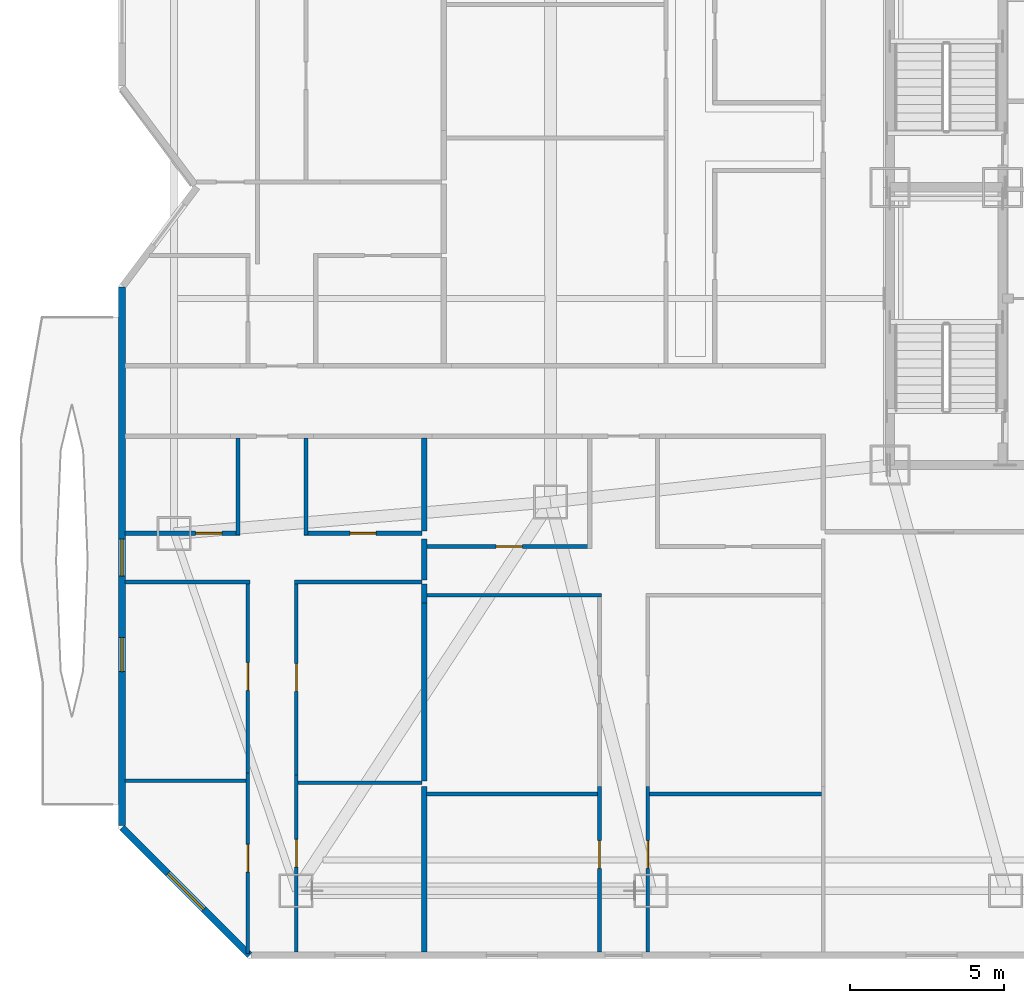
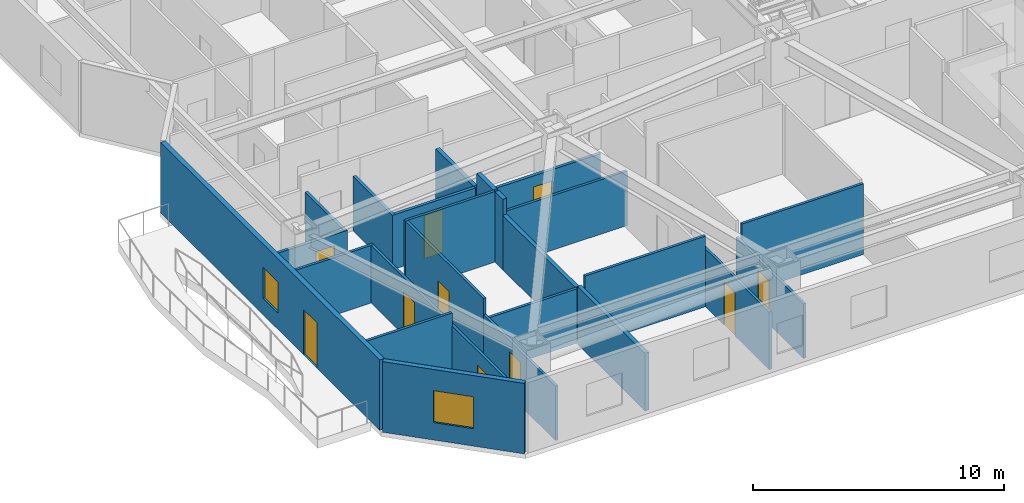
# One storey, part 7 of 17: 25 walls, 10 doors, 2 windows, 12 openings.
"""IFC4 building model written with IfcOpenShell, lengths in metres."""

from ifc_helpers import new_model, si_unit, direction, frame, frame_2d, origin, place, context, subcontext, project, spatial, rectangle, extrude, material, layer, layer_set, type_object, element, fill, save


model = new_model("IFC4")

# Units and contexts
model_context = context("Model", 3, precision=1e-05, world=origin(), true_north=direction((0.0, 1.0)))
body_context = subcontext(model_context, "Body", "Model", "MODEL_VIEW")
ifc_project = project(units=[si_unit("LENGTHUNIT", "METRE"), si_unit("AREAUNIT", "SQUARE_METRE"), si_unit("VOLUMEUNIT", "CUBIC_METRE"), si_unit("PLANEANGLEUNIT", "RADIAN"), si_unit("MASSUNIT", "GRAM", prefix="KILO")], contexts=[model_context])

# Site, building, storey
site_placement = place(None, origin())
site = spatial("IfcSite", under=ifc_project, at=site_placement, CompositionType="ELEMENT")
building_placement = place(site_placement, origin())
building = spatial("IfcBuilding", under=site, at=building_placement, Name="Khamvora Tower", CompositionType="ELEMENT")
storey_placement = place(building_placement, frame((0.0, 0.0, 44.25)))
storey = spatial("IfcBuildingStorey", under=building, at=storey_placement, Name="L10", CompositionType="ELEMENT", Elevation=44.25)

# Walls
ifc_material_1 = material(Name="Acoustic Double-Stud Fire Wall", Category="gypsum")
ifc_layer_1 = layer(ifc_material_1, 0.179931640625)
ifc_layer_set_1 = layer_set([ifc_layer_1], Name="Acoustic Double-Stud Fire Wall")
wall_type_1 = type_object("IfcWallType", Name="WAL-CORR-180", PredefinedType="STANDARD", material=ifc_layer_set_1)
wall_1_placement = place(storey_placement, frame((13.905029296875, 16.60400390625, 0.0), z_axis=(0.0, 0.0, 1.0), x_axis=(0.0, -1.0, 0.0)))
element("IfcWall", 1, at=wall_1_placement, inside=storey, type_object=wall_type_1, Name="L10 interior partition wall 058", PredefinedType="STANDARD", context=body_context, shape_type="SweptSolid", body=[
    extrude(rectangle(XDim=1.3310546875, YDim=0.179931640625, at=frame_2d((0.66552734375, 0.0))), origin(), (0.0, 0.0, 1.0), 3.429931640625),
])
wall_2_placement = place(storey_placement, frame((13.905029296875, 19.867919921875, 0.0), z_axis=(0.0, 0.0, 1.0), x_axis=(0.0, -1.0, 0.0)))
element("IfcWall", 2, at=wall_2_placement, inside=storey, type_object=wall_type_1, Name="L10 interior partition wall 059", PredefinedType="STANDARD", context=body_context, shape_type="SweptSolid", body=[
    extrude(rectangle(XDim=3.014892578125, YDim=0.179931640625, at=frame_2d((1.50732421875, 0.0))), origin(), (0.0, 0.0, 1.0), 2.64697265625),
])
wall_3_placement = place(storey_placement, frame((13.905029296875, 8.583984375, 0.0), z_axis=(0.0, 0.0, 1.0), x_axis=(0.0, -1.0, 0.0)))
element("IfcWall", 3, at=wall_3_placement, inside=storey, type_object=wall_type_1, Name="L10 interior partition wall 062", PredefinedType="STANDARD", context=body_context, shape_type="SweptSolid", body=[
    extrude(rectangle(XDim=5.3720703125, YDim=0.179931640625, at=frame_2d((2.68603515625, 0.0))), origin(), (0.0, 0.0, 1.0), 2.802978515625),
])
wall_4_placement = place(storey_placement, frame((13.905029296875, 15.14306640625, 0.0), z_axis=(0.0, 0.0, 1.0), x_axis=(0.0, -1.0, 0.0)))
element("IfcWall", 4, at=wall_4_placement, inside=storey, type_object=wall_type_1, Name="L10 interior partition wall 063", PredefinedType="STANDARD", context=body_context, shape_type="SweptSolid", body=[
    extrude(rectangle(XDim=0.6171875, YDim=0.179931640625, at=frame_2d((0.30859375, 0.0))), origin(), (0.0, 0.0, 1.0), 3.429931640625),
])
wall_5_placement = place(storey_placement, frame((13.905029296875, 14.52587890625, 0.0), z_axis=(0.0, 0.0, 1.0), x_axis=(0.0, -1.0, 0.0)))
element("IfcWall", 5, at=wall_5_placement, inside=storey, type_object=wall_type_1, Name="L10 interior partition wall 064", PredefinedType="STANDARD", context=body_context, shape_type="SweptSolid", body=[
    extrude(rectangle(XDim=5.760986328125, YDim=0.179931640625, at=frame_2d((2.88037109375, 0.0))), origin(), (0.0, 0.0, 1.0), 2.64697265625),
])

# Wall, opening, window
ifc_material_2 = material(Name="Precast concrete C40/50", Category="concrete")
ifc_layer_2 = layer(ifc_material_2, 0.219970703125)
ifc_layer_set_2 = layer_set([ifc_layer_2], Name="Precast concrete C40/50")
wall_type_2 = type_object("IfcWallType", Name="WAL-EXT-220", PredefinedType="STANDARD", material=ifc_layer_set_2)
wall_6_placement = place(storey_placement, frame((8.24609375, 3.110107421875, 0.0), z_axis=(0.0, 0.0, 1.0), x_axis=(-0.707106781187, 0.707106781187, 0.0)))
wall_6 = element("IfcWall", 6, at=wall_6_placement, inside=storey, type_object=wall_type_2, Name="L10 exterior facade wall 01.1", PredefinedType="STANDARD", context=body_context, shape_type="SweptSolid", body=[
    extrude(rectangle(XDim=5.84912109375, YDim=0.219970703125, at=frame_2d((2.924560546875, 0.0))), origin(), (0.0, 0.0, 1.0), 3.429931640625),
])
opening_1_placement = place(wall_6_placement, frame((2.10009765625, 0.0, 0.85009765625)))
opening_1 = element("IfcOpeningElement", 7, at=opening_1_placement, cuts=wall_6, Name="Opening WN-06", PredefinedType="OPENING", context=body_context, shape_type="SweptSolid", body=[
    extrude(rectangle(XDim=1.64990234375, YDim=1.550048828125, at=frame_2d((0.824951171875, 0.77490234375))), frame((0.0, 0.119873046875, 0.0), z_axis=(0.0, -1.0, 0.0), x_axis=(1.0, 0.0, 0.0)), (0.0, 0.0, 1.0), 0.239990234375),
])
ifc_material_3 = material(Name="Low-E Laminated Double Glazing", Category="glass")
window_type_1 = type_object("IfcWindowType", Name="WIN-VIS-1650x1550", PartitioningType="SINGLE_PANEL", PredefinedType="WINDOW", material=ifc_material_3)
window_1_placement = place(opening_1_placement, origin())
window_1 = element("IfcWindow", 8, at=window_1_placement, inside=storey, type_object=window_type_1, Name="L10 vision window 01.1.01", OverallHeight=1.550048828125, OverallWidth=1.64990234375, PartitioningType="SINGLE_PANEL", PredefinedType="WINDOW", context=body_context, shape_type="SweptSolid", body=[
    extrude(rectangle(XDim=1.64990234375, YDim=1.550048828125, at=frame_2d((0.824951171875, 0.77490234375))), frame((0.0, 0.030029296875, 0.0), z_axis=(0.0, -1.0, 0.0), x_axis=(1.0, 0.0, 0.0)), (0.0, 0.0, 1.0), 0.06005859375),
])
fill(opening_1, window_1)

# Wall, openings, door, window
wall_7_placement = place(storey_placement, frame((4.110107421875, 7.31689453125, 0.0), z_axis=(0.0, 0.0, 1.0), x_axis=(0.0, 1.0, 0.0)))
wall_7 = element("IfcWall", 9, at=wall_7_placement, inside=storey, type_object=wall_type_2, Name="L10 exterior facade wall 02.1", PredefinedType="STANDARD", context=body_context, shape_type="SweptSolid", body=[
    extrude(rectangle(XDim=17.446044921875, YDim=0.219970703125, at=frame_2d((8.72314453125, 0.0))), origin(), (0.0, 0.0, 1.0), 3.429931640625),
])
opening_2_placement = place(wall_7_placement, frame((4.989013671875, 0.0, 0.0)))
opening_2 = element("IfcOpeningElement", 10, at=opening_2_placement, cuts=wall_7, Name="Opening BD-01", PredefinedType="OPENING", context=body_context, shape_type="SweptSolid", body=[
    extrude(rectangle(XDim=1.10009765625, YDim=2.199951171875, at=frame_2d((0.550048828125, 1.10009765625))), frame((0.0, 0.119873046875, 0.0), z_axis=(0.0, -1.0, 0.0), x_axis=(1.0, 0.0, 0.0)), (0.0, 0.0, 1.0), 0.239990234375),
])
opening_3_placement = place(wall_7_placement, frame((8.0810546875, 0.0, 0.800048828125)))
opening_3 = element("IfcOpeningElement", 11, at=opening_3_placement, cuts=wall_7, Name="Opening WN-03", PredefinedType="OPENING", context=body_context, shape_type="SweptSolid", body=[
    extrude(rectangle(XDim=1.199951171875, YDim=1.5, at=frame_2d((0.60009765625, 0.75))), frame((0.0, 0.119873046875, 0.0), z_axis=(0.0, -1.0, 0.0), x_axis=(1.0, 0.0, 0.0)), (0.0, 0.0, 1.0), 0.239990234375),
])
ifc_material_4 = material(Name="Anodised Aluminium and Laminated Safety Glass", Category="aluminium")
door_type_1 = type_object("IfcDoorType", Name="DOR-BAL-1100", OperationType="NOTDEFINED", PredefinedType="DOOR", material=ifc_material_4)
door_1_placement = place(opening_2_placement, origin())
door_1 = element("IfcDoor", 12, at=door_1_placement, inside=storey, type_object=door_type_1, Name="L10 lens gallery balcony door WL1", OperationType="SLIDING_TO_LEFT", OverallHeight=2.199951171875, OverallWidth=1.10009765625, PredefinedType="DOOR", context=body_context, shape_type="SweptSolid", body=[
    extrude(rectangle(XDim=1.10009765625, YDim=2.199951171875, at=frame_2d((0.550048828125, 1.10009765625))), frame((0.0, 0.02490234375, 0.0), z_axis=(0.0, -1.0, 0.0), x_axis=(1.0, 0.0, 0.0)), (0.0, 0.0, 1.0), 0.050048828125),
])
fill(opening_2, door_1)
window_type_2 = type_object("IfcWindowType", Name="WIN-VIS-1200x1500", PartitioningType="SINGLE_PANEL", PredefinedType="WINDOW", material=ifc_material_3)
window_2_placement = place(opening_3_placement, origin())
window_2 = element("IfcWindow", 13, at=window_2_placement, inside=storey, type_object=window_type_2, Name="L10 vision window 02.1.01", OverallHeight=1.5, OverallWidth=1.199951171875, PartitioningType="SINGLE_PANEL", PredefinedType="WINDOW", context=body_context, shape_type="SweptSolid", body=[
    extrude(rectangle(XDim=1.199951171875, YDim=1.5, at=frame_2d((0.60009765625, 0.75))), frame((0.0, 0.030029296875, 0.0), z_axis=(0.0, -1.0, 0.0), x_axis=(1.0, 0.0, 0.0)), (0.0, 0.0, 1.0), 0.06005859375),
])
fill(opening_3, window_2)

# Wall, opening, door
ifc_material_5 = material(Name="Gypsum Plasterboard Partition", Category="gypsum")
ifc_layer_3 = layer(ifc_material_5, 0.1201171875)
ifc_layer_set_3 = layer_set([ifc_layer_3], Name="Gypsum Plasterboard Partition")
wall_type_3 = type_object("IfcWallType", Name="WAL-PART-120", PredefinedType="PARTITIONING", material=ifc_layer_set_3)
wall_8_placement = place(storey_placement, frame((8.18994140625, 3.172119140625, 0.0), z_axis=(0.0, 0.0, 1.0), x_axis=(0.0, 1.0, 0.0)))
wall_8 = element("IfcWall", 14, at=wall_8_placement, inside=storey, type_object=wall_type_3, Name="L10 interior partition wall 052", PredefinedType="PARTITIONING", context=body_context, shape_type="SweptSolid", body=[
    extrude(rectangle(XDim=5.8408203125, YDim=0.1201171875, at=frame_2d((2.92041015625, 0.0))), origin(), (0.0, 0.0, 1.0), 2.802978515625),
])
opening_4_placement = place(wall_8_placement, frame((2.633056640625, 0.0, 0.0)))
opening_4 = element("IfcOpeningElement", 15, at=opening_4_placement, cuts=wall_8, Name="Opening D-RM1", PredefinedType="OPENING", context=body_context, shape_type="SweptSolid", body=[
    extrude(rectangle(XDim=0.89990234375, YDim=2.10009765625, at=frame_2d((0.449951171875, 1.050048828125))), frame((0.0, 0.070068359375, 0.0), z_axis=(0.0, -1.0, 0.0), x_axis=(1.0, 0.0, 0.0)), (0.0, 0.0, 1.0), 0.14013671875),
])
ifc_material_6 = material(Name="Powder-Coated Steel and Hardwood Leaf", Category="steel")
door_type_2 = type_object("IfcDoorType", Name="DOR-ROOM-900", OperationType="NOTDEFINED", PredefinedType="DOOR", material=ifc_material_6)
door_2_placement = place(opening_4_placement, origin())
door_2 = element("IfcDoor", 16, at=door_2_placement, inside=storey, type_object=door_type_2, Name="L10 interior door 10WAH-10WAL", OperationType="SINGLE_SWING_RIGHT", OverallHeight=2.10009765625, OverallWidth=0.89990234375, PredefinedType="DOOR", context=body_context, shape_type="SweptSolid", body=[
    extrude(rectangle(XDim=0.89990234375, YDim=2.10009765625, at=frame_2d((0.449951171875, 1.050048828125))), frame((0.0, 0.02490234375, 0.0), z_axis=(0.0, -1.0, 0.0), x_axis=(1.0, 0.0, 0.0)), (0.0, 0.0, 1.0), 0.050048828125),
])
fill(opening_4, door_2)

wall_9_placement = place(storey_placement, frame((8.18994140625, 9.012939453125, 0.0), z_axis=(0.0, 0.0, 1.0), x_axis=(0.0, 1.0, 0.0)))
wall_9 = element("IfcWall", 17, at=wall_9_placement, inside=storey, type_object=wall_type_3, Name="L10 interior partition wall 053", PredefinedType="PARTITIONING", context=body_context, shape_type="SweptSolid", body=[
    extrude(rectangle(XDim=6.260009765625, YDim=0.1201171875, at=frame_2d((3.1298828125, 0.0))), origin(), (0.0, 0.0, 1.0), 2.802978515625),
])
opening_5_placement = place(wall_9_placement, frame((2.679931640625, 0.0, 0.0)))
opening_5 = element("IfcOpeningElement", 18, at=opening_5_placement, cuts=wall_9, Name="Opening D-RM1", PredefinedType="OPENING", context=body_context, shape_type="SweptSolid", body=[
    extrude(rectangle(XDim=0.89990234375, YDim=2.10009765625, at=frame_2d((0.449951171875, 1.050048828125))), frame((0.0, 0.070068359375, 0.0), z_axis=(0.0, -1.0, 0.0), x_axis=(1.0, 0.0, 0.0)), (0.0, 0.0, 1.0), 0.14013671875),
])
door_3_placement = place(opening_5_placement, origin())
door_3 = element("IfcDoor", 19, at=door_3_placement, inside=storey, type_object=door_type_2, Name="L10 interior door 10WAH-10WAR2", OperationType="SINGLE_SWING_LEFT", OverallHeight=2.10009765625, OverallWidth=0.89990234375, PredefinedType="DOOR", context=body_context, shape_type="SweptSolid", body=[
    extrude(rectangle(XDim=0.89990234375, YDim=2.10009765625, at=frame_2d((0.449951171875, 1.050048828125))), frame((0.0, 0.02490234375, 0.0), z_axis=(0.0, -1.0, 0.0), x_axis=(1.0, 0.0, 0.0)), (0.0, 0.0, 1.0), 0.050048828125),
])
fill(opening_5, door_3)

# Wall
wall_10_placement = place(storey_placement, frame((8.2548828125, 15.2080078125, 0.0), z_axis=(0.0, 0.0, 1.0), x_axis=(-1.0, 0.0, 0.0)))
element("IfcWall", 20, at=wall_10_placement, inside=storey, type_object=wall_type_3, Name="L10 interior partition wall 054", PredefinedType="PARTITIONING", context=body_context, shape_type="SweptSolid", body=[
    extrude(rectangle(XDim=4.04296875, YDim=0.1201171875, at=frame_2d((2.021484375, 0.0))), origin(), (0.0, 0.0, 1.0), 2.802978515625),
])

# Wall, opening, door
wall_11_placement = place(storey_placement, frame((9.760009765625, 8.948974609375, 0.0), z_axis=(0.0, 0.0, 1.0), x_axis=(0.0, -1.0, 0.0)))
wall_11 = element("IfcWall", 21, at=wall_11_placement, inside=storey, type_object=wall_type_3, Name="L10 interior partition wall 055", PredefinedType="PARTITIONING", context=body_context, shape_type="SweptSolid", body=[
    extrude(rectangle(XDim=5.737060546875, YDim=0.1201171875, at=frame_2d((2.86865234375, 0.0))), origin(), (0.0, 0.0, 1.0), 2.64697265625),
])
opening_6_placement = place(wall_11_placement, frame((2.0810546875, 0.0, 0.0)))
opening_6 = element("IfcOpeningElement", 22, at=opening_6_placement, cuts=wall_11, Name="Opening D-RM1", PredefinedType="OPENING", context=body_context, shape_type="SweptSolid", body=[
    extrude(rectangle(XDim=0.89990234375, YDim=2.10009765625, at=frame_2d((0.449951171875, 1.050048828125))), frame((0.0, 0.070068359375, 0.0), z_axis=(0.0, -1.0, 0.0), x_axis=(1.0, 0.0, 0.0)), (0.0, 0.0, 1.0), 0.14013671875),
])
door_4_placement = place(opening_6_placement, origin())
door_4 = element("IfcDoor", 23, at=door_4_placement, inside=storey, type_object=door_type_2, Name="L10 interior door 10WAH-10WAR3", OperationType="SINGLE_SWING_LEFT", OverallHeight=2.10009765625, OverallWidth=0.89990234375, PredefinedType="DOOR", context=body_context, shape_type="SweptSolid", body=[
    extrude(rectangle(XDim=0.89990234375, YDim=2.10009765625, at=frame_2d((0.449951171875, 1.050048828125))), frame((0.0, 0.02490234375, 0.0), z_axis=(0.0, -1.0, 0.0), x_axis=(1.0, 0.0, 0.0)), (0.0, 0.0, 1.0), 0.050048828125),
])
fill(opening_6, door_4)

wall_12_placement = place(storey_placement, frame((9.760009765625, 15.27294921875, 0.0), z_axis=(0.0, 0.0, 1.0), x_axis=(0.0, -1.0, 0.0)))
wall_12 = element("IfcWall", 24, at=wall_12_placement, inside=storey, type_object=wall_type_3, Name="L10 interior partition wall 056", PredefinedType="PARTITIONING", context=body_context, shape_type="SweptSolid", body=[
    extrude(rectangle(XDim=6.323974609375, YDim=0.1201171875, at=frame_2d((3.162109375, 0.0))), origin(), (0.0, 0.0, 1.0), 3.429931640625),
])
opening_7_placement = place(wall_12_placement, frame((2.7119140625, 0.0, 0.0)))
opening_7 = element("IfcOpeningElement", 25, at=opening_7_placement, cuts=wall_12, Name="Opening D-RM1", PredefinedType="OPENING", context=body_context, shape_type="SweptSolid", body=[
    extrude(rectangle(XDim=0.89990234375, YDim=2.10009765625, at=frame_2d((0.449951171875, 1.050048828125))), frame((0.0, 0.070068359375, 0.0), z_axis=(0.0, -1.0, 0.0), x_axis=(1.0, 0.0, 0.0)), (0.0, 0.0, 1.0), 0.14013671875),
])
door_5_placement = place(opening_7_placement, origin())
door_5 = element("IfcDoor", 26, at=door_5_placement, inside=storey, type_object=door_type_2, Name="L10 interior door 10WAH-10WAR4", OperationType="SINGLE_SWING_RIGHT", OverallHeight=2.10009765625, OverallWidth=0.89990234375, PredefinedType="DOOR", context=body_context, shape_type="SweptSolid", body=[
    extrude(rectangle(XDim=0.89990234375, YDim=2.10009765625, at=frame_2d((0.449951171875, 1.050048828125))), frame((0.0, 0.02490234375, 0.0), z_axis=(0.0, -1.0, 0.0), x_axis=(1.0, 0.0, 0.0)), (0.0, 0.0, 1.0), 0.050048828125),
])
fill(opening_7, door_5)

# Walls
wall_13_placement = place(storey_placement, frame((13.840087890625, 15.2080078125, 0.0), z_axis=(0.0, 0.0, 1.0), x_axis=(-1.0, 0.0, 0.0)))
element("IfcWall", 27, at=wall_13_placement, inside=storey, type_object=wall_type_3, Name="L10 interior partition wall 057", PredefinedType="PARTITIONING", context=body_context, shape_type="SweptSolid", body=[
    extrude(rectangle(XDim=4.14501953125, YDim=0.1201171875, at=frame_2d((2.072509765625, 0.0))), origin(), (0.0, 0.0, 1.0), 3.429931640625),
])
wall_14_placement = place(storey_placement, frame((4.2119140625, 8.763916015625, 0.0), z_axis=(0.0, 0.0, 1.0), x_axis=(1.0, 0.0, 0.0)))
element("IfcWall", 28, at=wall_14_placement, inside=storey, type_object=wall_type_3, Name="L10 interior partition wall 060", PredefinedType="PARTITIONING", context=body_context, shape_type="SweptSolid", body=[
    extrude(rectangle(XDim=3.924072265625, YDim=0.1201171875, at=frame_2d((1.9619140625, 0.0))), origin(), (0.0, 0.0, 1.0), 3.429931640625),
])
wall_15_placement = place(storey_placement, frame((9.81396484375, 8.699951171875, 0.0), z_axis=(0.0, 0.0, 1.0), x_axis=(1.0, 0.0, 0.0)))
element("IfcWall", 29, at=wall_15_placement, inside=storey, type_object=wall_type_3, Name="L10 interior partition wall 061", PredefinedType="PARTITIONING", context=body_context, shape_type="SweptSolid", body=[
    extrude(rectangle(XDim=4.026123046875, YDim=0.1201171875, at=frame_2d((2.01318359375, 0.0))), origin(), (0.0, 0.0, 1.0), 2.64697265625),
])

# Wall, opening, door
wall_16_placement = place(storey_placement, frame((19.5849609375, 3.2119140625, 0.0), z_axis=(0.0, 0.0, 1.0), x_axis=(0.0, 1.0, 0.0)))
wall_16 = element("IfcWall", 30, at=wall_16_placement, inside=storey, type_object=wall_type_3, Name="L10 interior partition wall 069", PredefinedType="PARTITIONING", context=body_context, shape_type="SweptSolid", body=[
    extrude(rectangle(XDim=5.3720703125, YDim=0.1201171875, at=frame_2d((2.68603515625, 0.0))), origin(), (0.0, 0.0, 1.0), 2.802978515625),
])
opening_8_placement = place(wall_16_placement, frame((2.7109375, 0.0, 0.0)))
opening_8 = element("IfcOpeningElement", 31, at=opening_8_placement, cuts=wall_16, Name="Opening D-RM1", PredefinedType="OPENING", context=body_context, shape_type="SweptSolid", body=[
    extrude(rectangle(XDim=0.89990234375, YDim=2.10009765625, at=frame_2d((0.449951171875, 1.050048828125))), frame((0.0, 0.070068359375, 0.0), z_axis=(0.0, -1.0, 0.0), x_axis=(1.0, 0.0, 0.0)), (0.0, 0.0, 1.0), 0.14013671875),
])
door_6_placement = place(opening_8_placement, origin())
door_6 = element("IfcDoor", 32, at=door_6_placement, inside=storey, type_object=door_type_2, Name="L10 interior door 10WBH-10WBL", OperationType="SINGLE_SWING_LEFT", OverallHeight=2.10009765625, OverallWidth=0.89990234375, PredefinedType="DOOR", context=body_context, shape_type="SweptSolid", body=[
    extrude(rectangle(XDim=0.89990234375, YDim=2.10009765625, at=frame_2d((0.449951171875, 1.050048828125))), frame((0.0, 0.02490234375, 0.0), z_axis=(0.0, -1.0, 0.0), x_axis=(1.0, 0.0, 0.0)), (0.0, 0.0, 1.0), 0.050048828125),
])
fill(opening_8, door_6)

# Wall
wall_17_placement = place(storey_placement, frame((19.64990234375, 14.77490234375, 0.0), z_axis=(0.0, 0.0, 1.0), x_axis=(-1.0, 0.0, 0.0)))
element("IfcWall", 33, at=wall_17_placement, inside=storey, type_object=wall_type_3, Name="L10 interior partition wall 071", PredefinedType="PARTITIONING", context=body_context, shape_type="SweptSolid", body=[
    extrude(rectangle(XDim=5.662841796875, YDim=0.1201171875, at=frame_2d((2.83154296875, 0.0))), origin(), (0.0, 0.0, 1.0), 2.64697265625),
])

# Wall, opening, door
wall_18_placement = place(storey_placement, frame((21.155029296875, 8.583984375, 0.0), z_axis=(0.0, 0.0, 1.0), x_axis=(0.0, -1.0, 0.0)))
wall_18 = element("IfcWall", 34, at=wall_18_placement, inside=storey, type_object=wall_type_3, Name="L10 interior partition wall 072", PredefinedType="PARTITIONING", context=body_context, shape_type="SweptSolid", body=[
    extrude(rectangle(XDim=5.3720703125, YDim=0.1201171875, at=frame_2d((2.68603515625, 0.0))), origin(), (0.0, 0.0, 1.0), 2.64697265625),
])
opening_9_placement = place(wall_18_placement, frame((1.760986328125, 0.0, 0.0)))
opening_9 = element("IfcOpeningElement", 35, at=opening_9_placement, cuts=wall_18, Name="Opening D-RM1", PredefinedType="OPENING", context=body_context, shape_type="SweptSolid", body=[
    extrude(rectangle(XDim=0.89990234375, YDim=2.10009765625, at=frame_2d((0.449951171875, 1.050048828125))), frame((0.0, 0.070068359375, 0.0), z_axis=(0.0, -1.0, 0.0), x_axis=(1.0, 0.0, 0.0)), (0.0, 0.0, 1.0), 0.14013671875),
])
door_7_placement = place(opening_9_placement, origin())
door_7 = element("IfcDoor", 36, at=door_7_placement, inside=storey, type_object=door_type_2, Name="L10 interior door 10WBH-10WBR3", OperationType="SINGLE_SWING_LEFT", OverallHeight=2.10009765625, OverallWidth=0.89990234375, PredefinedType="DOOR", context=body_context, shape_type="SweptSolid", body=[
    extrude(rectangle(XDim=0.89990234375, YDim=2.10009765625, at=frame_2d((0.449951171875, 1.050048828125))), frame((0.0, 0.02490234375, 0.0), z_axis=(0.0, -1.0, 0.0), x_axis=(1.0, 0.0, 0.0)), (0.0, 0.0, 1.0), 0.050048828125),
])
fill(opening_9, door_7)

# Walls
wall_19_placement = place(storey_placement, frame((13.987060546875, 8.3349609375, 0.0), z_axis=(0.0, 0.0, 1.0), x_axis=(1.0, 0.0, 0.0)))
element("IfcWall", 37, at=wall_19_placement, inside=storey, type_object=wall_type_3, Name="L10 interior partition wall 075", PredefinedType="PARTITIONING", context=body_context, shape_type="SweptSolid", body=[
    extrude(rectangle(XDim=5.5439453125, YDim=0.1201171875, at=frame_2d((2.77197265625, 0.0))), origin(), (0.0, 0.0, 1.0), 3.429931640625),
])
wall_20_placement = place(storey_placement, frame((21.208984375, 8.3349609375, 0.0), z_axis=(0.0, 0.0, 1.0), x_axis=(1.0, 0.0, 0.0)))
element("IfcWall", 38, at=wall_20_placement, inside=storey, type_object=wall_type_3, Name="L10 interior partition wall 076", PredefinedType="PARTITIONING", context=body_context, shape_type="SweptSolid", body=[
    extrude(rectangle(XDim=5.572021484375, YDim=0.1201171875, at=frame_2d((2.7861328125, 0.0))), origin(), (0.0, 0.0, 1.0), 3.429931640625),
])

# Wall, opening, door
ifc_material_7 = material(Name="Moisture-Resistant Plasterboard Partition", Category="gypsum")
ifc_layer_4 = layer(ifc_material_7, 0.135009765625)
ifc_layer_set_4 = layer_set([ifc_layer_4], Name="Moisture-Resistant Plasterboard Partition")
wall_type_4 = type_object("IfcWallType", Name="WAL-WET-135", PredefinedType="PARTITIONING", material=ifc_layer_set_4)
wall_21_placement = place(storey_placement, frame((4.2119140625, 16.7880859375, 0.0), z_axis=(0.0, 0.0, 1.0), x_axis=(1.0, 0.0, 0.0)))
wall_21 = element("IfcWall", 39, at=wall_21_placement, inside=storey, type_object=wall_type_4, Name="L10 interior partition wall 048", PredefinedType="PARTITIONING", context=body_context, shape_type="SweptSolid", body=[
    extrude(rectangle(XDim=3.72802734375, YDim=0.135009765625, at=frame_2d((1.864013671875, 0.0))), origin(), (0.0, 0.0, 1.0), 2.64697265625),
])
opening_10_placement = place(wall_21_placement, frame((2.284912109375, 0.0, 0.0)))
opening_10 = element("IfcOpeningElement", 40, at=opening_10_placement, cuts=wall_21, Name="Opening D-WC1", PredefinedType="OPENING", context=body_context, shape_type="SweptSolid", body=[
    extrude(rectangle(XDim=0.85009765625, YDim=2.10009765625, at=frame_2d((0.425048828125, 1.050048828125))), frame((0.0, 0.077392578125, 0.0), z_axis=(0.0, -1.0, 0.0), x_axis=(1.0, 0.0, 0.0)), (0.0, 0.0, 1.0), 0.155029296875),
])
door_type_3 = type_object("IfcDoorType", Name="DOR-WET-850", OperationType="NOTDEFINED", PredefinedType="DOOR", material=ifc_material_6)
door_8_placement = place(opening_10_placement, origin())
door_8 = element("IfcDoor", 41, at=door_8_placement, inside=storey, type_object=door_type_3, Name="L10 interior door 10WAH-10WAB", OperationType="SINGLE_SWING_RIGHT", OverallHeight=2.10009765625, OverallWidth=0.85009765625, PredefinedType="DOOR", context=body_context, shape_type="SweptSolid", body=[
    extrude(rectangle(XDim=0.85009765625, YDim=2.10009765625, at=frame_2d((0.425048828125, 1.050048828125))), frame((0.0, 0.02490234375, 0.0), z_axis=(0.0, -1.0, 0.0), x_axis=(1.0, 0.0, 0.0)), (0.0, 0.0, 1.0), 0.050048828125),
])
fill(opening_10, door_8)

# Walls
for number, where, z_axis, x_axis, name in (
    (42, (7.875, 16.722900390625, 0.0), (0.0, 0.0, 1.0), (0.0, 1.0, 0.0), "L10 interior partition wall 049"),
    (43, (10.074951171875, 19.867919921875, 0.0), (0.0, 0.0, 1.0), (0.0, -1.0, 0.0), "L10 interior partition wall 050"),
):
    element("IfcWall", number, at=place(storey_placement, frame(where, z_axis=z_axis, x_axis=x_axis)), inside=storey, type_object=wall_type_4, Name=name, PredefinedType="PARTITIONING", context=body_context, shape_type="SweptSolid", body=[
        extrude(rectangle(XDim=3.14501953125, YDim=0.135009765625, at=frame_2d((1.572509765625, 0.0))), origin(), (0.0, 0.0, 1.0), 2.64697265625),
    ])

# Wall, opening, door
wall_22_placement = place(storey_placement, frame((10.010009765625, 16.7880859375, 0.0), z_axis=(0.0, 0.0, 1.0), x_axis=(1.0, 0.0, 0.0)))
wall_22 = element("IfcWall", 44, at=wall_22_placement, inside=storey, type_object=wall_type_4, Name="L10 interior partition wall 051", PredefinedType="PARTITIONING", context=body_context, shape_type="SweptSolid", body=[
    extrude(rectangle(XDim=3.830078125, YDim=0.135009765625, at=frame_2d((1.9150390625, 0.0))), origin(), (0.0, 0.0, 1.0), 2.64697265625),
])
opening_11_placement = place(wall_22_placement, frame((1.489990234375, 0.0, 0.0)))
opening_11 = element("IfcOpeningElement", 45, at=opening_11_placement, cuts=wall_22, Name="Opening D-RM2", PredefinedType="OPENING", context=body_context, shape_type="SweptSolid", body=[
    extrude(rectangle(XDim=0.85009765625, YDim=2.10009765625, at=frame_2d((0.425048828125, 1.050048828125))), frame((0.0, 0.077392578125, 0.0), z_axis=(0.0, -1.0, 0.0), x_axis=(1.0, 0.0, 0.0)), (0.0, 0.0, 1.0), 0.155029296875),
])
door_type_4 = type_object("IfcDoorType", Name="DOR-ROOM-850", OperationType="NOTDEFINED", PredefinedType="DOOR", material=ifc_material_6)
door_9_placement = place(opening_11_placement, origin())
door_9 = element("IfcDoor", 46, at=door_9_placement, inside=storey, type_object=door_type_4, Name="L10 interior door 10WAH-10WAK", OperationType="SINGLE_SWING_LEFT", OverallHeight=2.10009765625, OverallWidth=0.85009765625, PredefinedType="DOOR", context=body_context, shape_type="SweptSolid", body=[
    extrude(rectangle(XDim=0.85009765625, YDim=2.10009765625, at=frame_2d((0.425048828125, 1.050048828125))), frame((0.0, 0.02490234375, 0.0), z_axis=(0.0, -1.0, 0.0), x_axis=(1.0, 0.0, 0.0)), (0.0, 0.0, 1.0), 0.050048828125),
])
fill(opening_11, door_9)

wall_23_placement = place(storey_placement, frame((13.987060546875, 16.35498046875, 0.0), z_axis=(0.0, 0.0, 1.0), x_axis=(1.0, 0.0, 0.0)))
wall_23 = element("IfcWall", 47, at=wall_23_placement, inside=storey, type_object=wall_type_4, Name="L10 interior partition wall 067", PredefinedType="PARTITIONING", context=body_context, shape_type="SweptSolid", body=[
    extrude(rectangle(XDim=5.347900390625, YDim=0.135009765625, at=frame_2d((2.673828125, 0.0))), origin(), (0.0, 0.0, 1.0), 2.64697265625),
])
opening_12_placement = place(wall_23_placement, frame((2.2490234375, 0.0, 0.0)))
opening_12 = element("IfcOpeningElement", 48, at=opening_12_placement, cuts=wall_23, Name="Opening D-RM2", PredefinedType="OPENING", context=body_context, shape_type="SweptSolid", body=[
    extrude(rectangle(XDim=0.85009765625, YDim=2.10009765625, at=frame_2d((0.425048828125, 1.050048828125))), frame((0.0, 0.077392578125, 0.0), z_axis=(0.0, -1.0, 0.0), x_axis=(1.0, 0.0, 0.0)), (0.0, 0.0, 1.0), 0.155029296875),
])
door_10_placement = place(opening_12_placement, origin())
door_10 = element("IfcDoor", 49, at=door_10_placement, inside=storey, type_object=door_type_4, Name="L10 interior door 10WBH-10WBK", OperationType="SINGLE_SWING_LEFT", OverallHeight=2.10009765625, OverallWidth=0.85009765625, PredefinedType="DOOR", context=body_context, shape_type="SweptSolid", body=[
    extrude(rectangle(XDim=0.85009765625, YDim=2.10009765625, at=frame_2d((0.425048828125, 1.050048828125))), frame((0.0, 0.02490234375, 0.0), z_axis=(0.0, -1.0, 0.0), x_axis=(1.0, 0.0, 0.0)), (0.0, 0.0, 1.0), 0.050048828125),
])
fill(opening_12, door_10)

save(model, "model.ifc")
